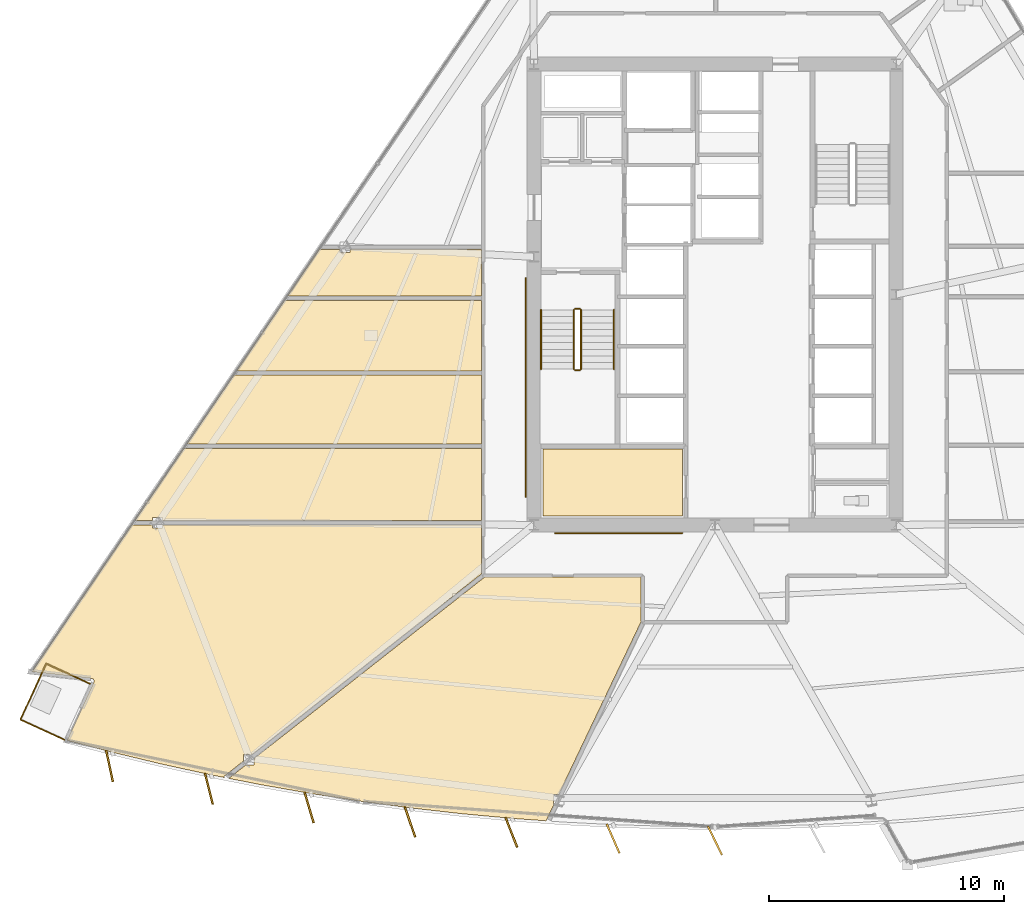
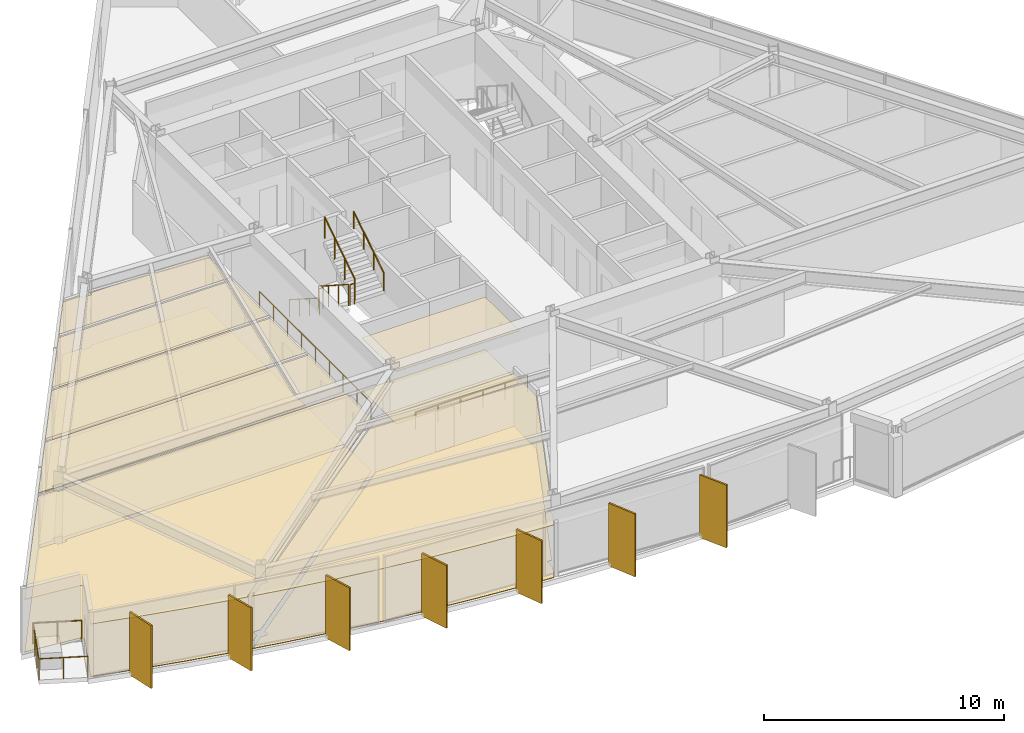
# One storey, part 12 of 16: 14 coverings, 11 railings, 7 shading devices.
"""IFC4 building model written with IfcOpenShell, lengths in metres."""

from ifc_helpers import new_model, si_unit, direction, frame, origin, origin_2d, place, context, subcontext, project, spatial, polyline, rectangle, circle, outline, extrude, material, layer, layer_set, type_object, element, save


model = new_model("IFC4")

# Units and contexts
model_context = context("Model", 3, precision=1e-05, world=origin(), true_north=direction((0.0, 1.0)))
body_context = subcontext(model_context, "Body", "Model", "MODEL_VIEW")
ifc_project = project(units=[si_unit("LENGTHUNIT", "METRE"), si_unit("AREAUNIT", "SQUARE_METRE"), si_unit("VOLUMEUNIT", "CUBIC_METRE"), si_unit("PLANEANGLEUNIT", "RADIAN"), si_unit("MASSUNIT", "GRAM", prefix="KILO")], contexts=[model_context])

# Site, building, storey
site_placement = place(None, origin())
site = spatial("IfcSite", under=ifc_project, at=site_placement, CompositionType="ELEMENT")
building_placement = place(site_placement, origin())
building = spatial("IfcBuilding", under=site, at=building_placement, Name="Savorim Split Tower", CompositionType="ELEMENT")
storey_placement = place(building_placement, frame((0.0, 0.0, 51.60009765625)))
storey = spatial("IfcBuildingStorey", under=building, at=storey_placement, Name="L13", CompositionType="ELEMENT", Elevation=51.60009765625)

# Coverings
ifc_material_1 = material(Name="Mineral Fibre Acoustic Ceiling")
ifc_layer_1 = layer(ifc_material_1, 0.02490234375)
ifc_layer_set_1 = layer_set([ifc_layer_1], Name="COV-CEIL-25")
covering_type_1 = type_object("IfcCoveringType", Name="COV-CEIL-25", PredefinedType="CEILING", material=ifc_layer_set_1)
covering_1_placement = place(storey_placement, frame((0.0, 0.0, 2.669921875)))
element("IfcCovering", 1, at=covering_1_placement, inside=storey, type_object=covering_type_1, Name="L13 Housekeeping Store Acoustic Ceiling", PredefinedType="CEILING", context=body_context, shape_type="SweptSolid", body=[
    extrude(outline(polyline([(-7.320068359375, -6.179931640625), (-7.320068359375, -9.02001953125), (-1.3798828125, -9.02001953125), (-1.3798828125, -6.179931640625), (-7.320068359375, -6.179931640625)])), origin(), (0.0, 0.0, 1.0), 0.02490234375),
])
covering_2_placement = place(storey_placement, frame((0.0, 0.0, 2.669921875)))
element("IfcCovering", 2, at=covering_2_placement, inside=storey, type_object=covering_type_1, Name="L13 Shared Kitchen Acoustic Ceiling", PredefinedType="CEILING", context=body_context, shape_type="SweptSolid", body=[
    extrude(outline(polyline([(-18.30078125, 0.15380859375), (-20.339111328125, -2.842529296875), (-9.919921875, -2.842529296875), (-9.919921875, 0.15380859375), (-18.30078125, 0.15380859375)])), origin(), (0.0, 0.0, 1.0), 0.02490234375),
])
covering_3_placement = place(storey_placement, frame((0.0, 0.0, 2.669921875)))
element("IfcCovering", 3, at=covering_3_placement, inside=storey, type_object=covering_type_1, Name="L13 Quiet Study Room Acoustic Ceiling", PredefinedType="CEILING", context=body_context, shape_type="SweptSolid", body=[
    extrude(outline(polyline([(-20.46826171875, -3.032470703125), (-22.45849609375, -5.9580078125), (-9.919921875, -5.9580078125), (-9.919921875, -3.032470703125), (-20.46826171875, -3.032470703125)])), origin(), (0.0, 0.0, 1.0), 0.02490234375),
])
covering_4_placement = place(storey_placement, frame((0.0, 0.0, 2.669921875)))
element("IfcCovering", 4, at=covering_4_placement, inside=storey, type_object=covering_type_1, Name="L13 Quiet Study Room Acoustic Ceiling", PredefinedType="CEILING", context=body_context, shape_type="SweptSolid", body=[
    extrude(outline(polyline([(-23.486328125, -9.08251953125), (-23.486328125, -9.215087890625), (-9.919921875, -9.215087890625), (-9.919921875, -6.14794921875), (-22.587646484375, -6.14794921875), (-24.67431640625, -9.215087890625), (-23.91845703125, -9.215087890625), (-23.91845703125, -9.08251953125), (-23.486328125, -9.08251953125)])), origin(), (0.0, 0.0, 1.0), 0.02490234375),
])
covering_5_placement = place(storey_placement, frame((0.0, 0.0, 2.669921875)))
element("IfcCovering", 5, at=covering_5_placement, inside=storey, type_object=covering_type_1, Name="L13 Co-Working Commons Acoustic Ceiling", PredefinedType="CEILING", context=body_context, shape_type="SweptSolid", body=[
    extrude(outline(polyline([(-26.404052734375, -16.033447265625), (-26.40380859375, -16.04541015625), (-26.40478515625, -16.057373046875), (-26.406982421875, -16.069091796875), (-26.410400390625, -16.08056640625), (-26.414794921875, -16.091552734375), (-27.549560546875, -18.561767578125), (-25.601806640625, -19.071044921875), (-23.50634765625, -19.573486328125), (-21.40087890625, -20.032958984375), (-20.843505859375, -20.142578125), (-20.88134765625, -20.0947265625), (-20.042724609375, -19.43505859375), (-20.042724609375, -19.15869140625), (-19.691162109375, -19.15869140625), (-9.94677734375, -11.493896484375), (-9.919921875, -11.472900390625), (-9.919921875, -9.405029296875), (-23.486328125, -9.405029296875), (-23.486328125, -9.53759765625), (-23.91845703125, -9.53759765625), (-23.91845703125, -9.405029296875), (-24.678466796875, -9.405029296875), (-24.7734375, -9.405029296875), (-24.7734375, -9.36083984375), (-29.04443359375, -15.639404296875), (-26.510498046875, -15.922119140625), (-26.498779296875, -15.92431640625), (-26.4873046875, -15.92724609375), (-26.47607421875, -15.931396484375), (-26.46533203125, -15.936767578125), (-26.455078125, -15.943115234375), (-26.44580078125, -15.9501953125), (-26.43701171875, -15.95849609375), (-26.42919921875, -15.967529296875), (-26.42236328125, -15.977294921875), (-26.41650390625, -15.98779296875), (-26.41162109375, -15.99853515625), (-26.407958984375, -16.010009765625), (-26.405517578125, -16.021484375), (-26.404052734375, -16.033447265625)])), origin(), (0.0, 0.0, 1.0), 0.02490234375),
])
covering_6_placement = place(storey_placement, frame((0.0, 0.0, 2.669921875)))
element("IfcCovering", 6, at=covering_6_placement, inside=storey, type_object=covering_type_1, Name="L13 Co-Working Commons Acoustic Ceiling", PredefinedType="CEILING", context=body_context, shape_type="SweptSolid", body=[
    extrude(outline(polyline([(-15.0341796875, -21.15185546875), (-12.898193359375, -21.4375), (-10.756591796875, -21.6796875), (-8.610595703125, -21.877685546875), (-7.180419921875, -21.98046875), (-6.858642578125, -21.305908203125), (-6.861083984375, -21.305908203125), (-6.861083984375, -20.85107421875), (-6.641845703125, -20.85107421875), (-3.151611328125, -13.5322265625), (-3.133056640625, -13.493408203125), (-3.134033203125, -13.490478515625), (-3.13720703125, -13.477294921875), (-3.139404296875, -13.463623046875), (-3.139892578125, -13.449951171875), (-3.139892578125, -11.6201171875), (-9.780029296875, -11.6201171875), (-9.793701171875, -11.619384765625), (-9.798095703125, -11.61865234375), (-19.61083984375, -19.337158203125), (-19.61083984375, -19.613525390625), (-19.96240234375, -19.613525390625), (-20.6767578125, -20.175537109375), (-19.286376953125, -20.44921875), (-17.163818359375, -20.822265625), (-15.0341796875, -21.15185546875)])), origin(), (0.0, 0.0, 1.0), 0.02490234375),
])
covering_7_placement = place(storey_placement, frame((0.0, 0.0, 2.669921875)))
element("IfcCovering", 7, at=covering_7_placement, inside=storey, type_object=covering_type_1, Name="L13 Co-Living Bedroom Acoustic Ceiling", PredefinedType="CEILING", context=body_context, shape_type="SweptSolid", body=[
    extrude(outline(polyline([(-15.944580078125, 2.31640625), (-16.70458984375, 2.31640625), (-16.799560546875, 2.31640625), (-16.799560546875, 2.360595703125), (-18.17138671875, 0.34375), (-9.919921875, 0.34375), (-9.919921875, 2.31640625), (-15.5126953125, 2.31640625), (-15.5126953125, 2.183837890625), (-15.944580078125, 2.183837890625), (-15.944580078125, 2.31640625)])), origin(), (0.0, 0.0, 1.0), 0.02490234375),
])
ifc_material_2 = material(Name="Porcelain Stoneware Flooring", Category="masonry")
ifc_layer_2 = layer(ifc_material_2, 0.02001953125)
ifc_layer_set_2 = layer_set([ifc_layer_2], Name="COV-FLOR-20")
covering_type_2 = type_object("IfcCoveringType", Name="COV-FLOR-20", PredefinedType="FLOORING", material=ifc_layer_set_2)
covering_8_placement = place(storey_placement, origin())
element("IfcCovering", 8, at=covering_8_placement, inside=storey, type_object=covering_type_2, Name="L13 Housekeeping Store Porcelain Flooring", PredefinedType="FLOORING", context=body_context, shape_type="SweptSolid", body=[
    extrude(outline(polyline([(-7.320068359375, -6.179931640625), (-7.320068359375, -9.02001953125), (-1.3798828125, -9.02001953125), (-1.3798828125, -6.179931640625), (-7.320068359375, -6.179931640625)])), origin(), (0.0, 0.0, 1.0), 0.02001953125),
])
covering_9_placement = place(storey_placement, origin())
element("IfcCovering", 9, at=covering_9_placement, inside=storey, type_object=covering_type_2, Name="L13 Shared Kitchen Porcelain Flooring", PredefinedType="FLOORING", context=body_context, shape_type="SweptSolid", body=[
    extrude(outline(polyline([(-18.30078125, 0.15380859375), (-20.339111328125, -2.842529296875), (-9.919921875, -2.842529296875), (-9.919921875, 0.15380859375), (-18.30078125, 0.15380859375)])), origin(), (0.0, 0.0, 1.0), 0.02001953125),
])
covering_10_placement = place(storey_placement, origin())
element("IfcCovering", 10, at=covering_10_placement, inside=storey, type_object=covering_type_2, Name="L13 Quiet Study Room Porcelain Flooring", PredefinedType="FLOORING", context=body_context, shape_type="SweptSolid", body=[
    extrude(outline(polyline([(-20.46826171875, -3.032470703125), (-22.45849609375, -5.9580078125), (-9.919921875, -5.9580078125), (-9.919921875, -3.032470703125), (-20.46826171875, -3.032470703125)])), origin(), (0.0, 0.0, 1.0), 0.02001953125),
])
covering_11_placement = place(storey_placement, origin())
element("IfcCovering", 11, at=covering_11_placement, inside=storey, type_object=covering_type_2, Name="L13 Quiet Study Room Porcelain Flooring", PredefinedType="FLOORING", context=body_context, shape_type="SweptSolid", body=[
    extrude(outline(polyline([(-23.486328125, -9.08251953125), (-23.486328125, -9.215087890625), (-9.919921875, -9.215087890625), (-9.919921875, -6.14794921875), (-22.587646484375, -6.14794921875), (-24.67431640625, -9.215087890625), (-23.91845703125, -9.215087890625), (-23.91845703125, -9.08251953125), (-23.486328125, -9.08251953125)])), origin(), (0.0, 0.0, 1.0), 0.02001953125),
])
covering_12_placement = place(storey_placement, origin())
element("IfcCovering", 12, at=covering_12_placement, inside=storey, type_object=covering_type_2, Name="L13 Co-Working Commons Porcelain Flooring", PredefinedType="FLOORING", context=body_context, shape_type="SweptSolid", body=[
    extrude(outline(polyline([(-26.404052734375, -16.033447265625), (-26.40380859375, -16.04541015625), (-26.40478515625, -16.057373046875), (-26.406982421875, -16.069091796875), (-26.410400390625, -16.08056640625), (-26.414794921875, -16.091552734375), (-27.549560546875, -18.561767578125), (-25.601806640625, -19.071044921875), (-23.50634765625, -19.573486328125), (-21.40087890625, -20.032958984375), (-20.843505859375, -20.142578125), (-20.88134765625, -20.0947265625), (-20.042724609375, -19.43505859375), (-20.042724609375, -19.15869140625), (-19.691162109375, -19.15869140625), (-9.94677734375, -11.493896484375), (-9.919921875, -11.472900390625), (-9.919921875, -9.405029296875), (-23.486328125, -9.405029296875), (-23.486328125, -9.53759765625), (-23.91845703125, -9.53759765625), (-23.91845703125, -9.405029296875), (-24.678466796875, -9.405029296875), (-24.7734375, -9.405029296875), (-24.7734375, -9.36083984375), (-29.04443359375, -15.639404296875), (-26.510498046875, -15.922119140625), (-26.498779296875, -15.92431640625), (-26.4873046875, -15.92724609375), (-26.47607421875, -15.931396484375), (-26.46533203125, -15.936767578125), (-26.455078125, -15.943115234375), (-26.44580078125, -15.9501953125), (-26.43701171875, -15.95849609375), (-26.42919921875, -15.967529296875), (-26.42236328125, -15.977294921875), (-26.41650390625, -15.98779296875), (-26.41162109375, -15.99853515625), (-26.407958984375, -16.010009765625), (-26.405517578125, -16.021484375), (-26.404052734375, -16.033447265625)])), origin(), (0.0, 0.0, 1.0), 0.02001953125),
])
covering_13_placement = place(storey_placement, origin())
element("IfcCovering", 13, at=covering_13_placement, inside=storey, type_object=covering_type_2, Name="L13 Co-Working Commons Porcelain Flooring", PredefinedType="FLOORING", context=body_context, shape_type="SweptSolid", body=[
    extrude(outline(polyline([(-15.0341796875, -21.15185546875), (-12.898193359375, -21.4375), (-10.756591796875, -21.6796875), (-8.610595703125, -21.877685546875), (-7.180419921875, -21.98046875), (-6.858642578125, -21.305908203125), (-6.861083984375, -21.305908203125), (-6.861083984375, -20.85107421875), (-6.641845703125, -20.85107421875), (-3.151611328125, -13.5322265625), (-3.133056640625, -13.493408203125), (-3.134033203125, -13.490478515625), (-3.13720703125, -13.477294921875), (-3.139404296875, -13.463623046875), (-3.139892578125, -13.449951171875), (-3.139892578125, -11.6201171875), (-9.780029296875, -11.6201171875), (-9.793701171875, -11.619384765625), (-9.798095703125, -11.61865234375), (-19.61083984375, -19.337158203125), (-19.61083984375, -19.613525390625), (-19.96240234375, -19.613525390625), (-20.6767578125, -20.175537109375), (-19.286376953125, -20.44921875), (-17.163818359375, -20.822265625), (-15.0341796875, -21.15185546875)])), origin(), (0.0, 0.0, 1.0), 0.02001953125),
])
covering_14_placement = place(storey_placement, origin())
element("IfcCovering", 14, at=covering_14_placement, inside=storey, type_object=covering_type_2, Name="L13 Co-Living Bedroom Porcelain Flooring", PredefinedType="FLOORING", context=body_context, shape_type="SweptSolid", body=[
    extrude(outline(polyline([(-15.944580078125, 2.31640625), (-16.70458984375, 2.31640625), (-16.799560546875, 2.31640625), (-16.799560546875, 2.360595703125), (-18.17138671875, 0.34375), (-9.919921875, 0.34375), (-9.919921875, 2.31640625), (-15.5126953125, 2.31640625), (-15.5126953125, 2.183837890625), (-15.944580078125, 2.183837890625), (-15.944580078125, 2.31640625)])), origin(), (0.0, 0.0, 1.0), 0.02001953125),
])

# Railings
ifc_material_3 = material(Name="Galvanised Painted Steel Balustrade", Category="steel")
railing_type_1 = type_object("IfcRailingType", Name="RLG-BAL-1100", PredefinedType="BALUSTRADE", material=ifc_material_3)
railing_1_placement = place(storey_placement, frame((-27.668212890625, -18.53271484375, 0.0)))
element("IfcRailing", 15, at=railing_1_placement, inside=storey, type_object=railing_type_1, Name="L13 Tree Balcony Guardrail SW-1", PredefinedType="BALUSTRADE", context=body_context, shape_type="SweptSolid", body=[
    extrude(circle(Radius=0.02392578125, at=origin_2d()), frame((0.0, 0.0, 1.076171875), z_axis=(-0.908662190505, 0.417532062898, 0.0), x_axis=(-0.417532062898, -0.908662190505, 0.0)), (0.0, 0.0, 1.0), 2.050048828125),
    extrude(circle(Radius=0.02099609375, at=origin_2d()), origin(), (0.0, 0.0, 1.0), 1.052001953125),
    extrude(circle(Radius=0.02099609375, at=origin_2d()), frame((-0.931396484375, 0.427978515625, 0.0)), (0.0, 0.0, 1.0), 1.052001953125),
    extrude(circle(Radius=0.02099609375, at=origin_2d()), frame((-1.86279296875, 0.85595703125, 0.0)), (0.0, 0.0, 1.0), 1.052001953125),
])
railing_2_placement = place(storey_placement, frame((-29.531005859375, -17.6767578125, 0.0)))
element("IfcRailing", 16, at=railing_2_placement, inside=storey, type_object=railing_type_1, Name="L13 Tree Balcony Guardrail SW-2", PredefinedType="BALUSTRADE", context=body_context, shape_type="SweptSolid", body=[
    extrude(circle(Radius=0.02392578125, at=origin_2d()), frame((0.0, 0.0, 1.076171875), z_axis=(0.417427426683, 0.908710263754, 0.0), x_axis=(-0.908710263754, 0.417427426683, 0.0)), (0.0, 0.0, 1.0), 2.621337890625),
    extrude(circle(Radius=0.02099609375, at=origin_2d()), origin(), (0.0, 0.0, 1.0), 1.052001953125),
    extrude(circle(Radius=0.02099609375, at=origin_2d()), frame((0.36474609375, 0.7939453125, 0.0)), (0.0, 0.0, 1.0), 1.052001953125),
    extrude(circle(Radius=0.02099609375, at=origin_2d()), frame((0.7294921875, 1.588134765625, 0.0)), (0.0, 0.0, 1.0), 1.052001953125),
    extrude(circle(Radius=0.02099609375, at=origin_2d()), frame((1.09423828125, 2.382080078125, 0.0)), (0.0, 0.0, 1.0), 1.052001953125),
])
railing_3_placement = place(storey_placement, frame((-28.436767578125, -15.294677734375, 0.0)))
element("IfcRailing", 17, at=railing_3_placement, inside=storey, type_object=railing_type_1, Name="L13 Tree Balcony Guardrail SW-3", PredefinedType="BALUSTRADE", context=body_context, shape_type="SweptSolid", body=[
    extrude(circle(Radius=0.02392578125, at=origin_2d()), frame((0.0, 0.0, 1.076171875), z_axis=(0.908707369925, -0.417433726289, 0.0), x_axis=(0.417433726289, 0.908707369925, 0.0)), (0.0, 0.0, 1.0), 2.050048828125),
    extrude(circle(Radius=0.02099609375, at=origin_2d()), origin(), (0.0, 0.0, 1.0), 1.052001953125),
    extrude(circle(Radius=0.02099609375, at=origin_2d()), frame((0.931396484375, -0.427734375, 0.0)), (0.0, 0.0, 1.0), 1.052001953125),
    extrude(circle(Radius=0.02099609375, at=origin_2d()), frame((1.86279296875, -0.855712890625, 0.0)), (0.0, 0.0, 1.0), 1.052001953125),
])
railing_type_2 = type_object("IfcRailingType", Name="RLG-HR-900", PredefinedType="HANDRAIL", material=ifc_material_3)
railing_4_placement = place(storey_placement, frame((-7.39990234375, -0.25, 0.179931640625)))
element("IfcRailing", 18, at=railing_4_placement, inside=storey, type_object=railing_type_2, Name="L13 ST-1 stair handrail 1", PredefinedType="HANDRAIL", context=body_context, shape_type="SweptSolid", body=[
    extrude(circle(Radius=0.02392578125, at=origin_2d()), frame((0.0, 0.0, 0.8759765625), z_axis=(0.0, -0.841199657755, 0.540724639528), x_axis=(1.0, 0.0, 0.0)), (0.0, 0.0, 1.0), 2.995849609375),
    extrude(circle(Radius=0.02099609375, at=origin_2d()), origin(), (0.0, 0.0, 1.0), 0.851806640625),
    extrude(circle(Radius=0.02099609375, at=origin_2d()), frame((0.0, -0.840087890625, 0.5400390625)), (0.0, 0.0, 1.0), 0.851806640625),
    extrude(circle(Radius=0.02099609375, at=origin_2d()), frame((0.0, -1.679931640625, 1.079833984375)), (0.0, 0.0, 1.0), 0.851806640625),
    extrude(circle(Radius=0.02099609375, at=origin_2d()), frame((0.0, -2.52001953125, 1.619873046875)), (0.0, 0.0, 1.0), 0.851806640625),
])
railing_5_placement = place(storey_placement, frame((-4.300048828125, -2.77001953125, 1.97998046875)))
element("IfcRailing", 19, at=railing_5_placement, inside=storey, type_object=railing_type_2, Name="L13 ST-1 stair handrail 2", PredefinedType="HANDRAIL", context=body_context, shape_type="SweptSolid", body=[
    extrude(circle(Radius=0.02392578125, at=origin_2d()), frame((0.0, 0.0, 0.8759765625), z_axis=(0.0, 0.841199657755, 0.540724639528), x_axis=(-1.0, 0.0, 0.0)), (0.0, 0.0, 1.0), 2.995849609375),
    extrude(circle(Radius=0.02099609375, at=origin_2d()), origin(), (0.0, 0.0, 1.0), 0.851806640625),
    extrude(circle(Radius=0.02099609375, at=origin_2d()), frame((0.0, 0.840087890625, 0.5400390625)), (0.0, 0.0, 1.0), 0.851806640625),
    extrude(circle(Radius=0.02099609375, at=origin_2d()), frame((0.0, 1.679931640625, 1.079833984375)), (0.0, 0.0, 1.0), 0.851806640625),
    extrude(circle(Radius=0.02099609375, at=origin_2d()), frame((0.0, 2.52001953125, 1.619873046875)), (0.0, 0.0, 1.0), 0.851806640625),
])
railing_6_placement = place(storey_placement, frame((-6.800048828125, -9.75, 0.0)))
element("IfcRailing", 20, at=railing_6_placement, inside=storey, type_object=railing_type_2, Name="L13 Corridor South Accessible Handrail", PredefinedType="HANDRAIL", context=body_context, shape_type="SweptSolid", body=[
    extrude(circle(Radius=0.02392578125, at=origin_2d()), frame((0.0, 0.0, 0.8759765625), z_axis=(1.0, 0.0, 0.0), x_axis=(0.0, 1.0, 0.0)), (0.0, 0.0, 1.0), 5.400146484375),
    extrude(circle(Radius=0.02099609375, at=origin_2d()), origin(), (0.0, 0.0, 1.0), 0.851806640625),
    extrude(circle(Radius=0.02099609375, at=origin_2d()), frame((1.080078125, 0.0, 0.0)), (0.0, 0.0, 1.0), 0.851806640625),
    extrude(circle(Radius=0.02099609375, at=origin_2d()), frame((2.16015625, 0.0, 0.0)), (0.0, 0.0, 1.0), 0.851806640625),
    extrude(circle(Radius=0.02099609375, at=origin_2d()), frame((3.239990234375, 0.0, 0.0)), (0.0, 0.0, 1.0), 0.851806640625),
    extrude(circle(Radius=0.02099609375, at=origin_2d()), frame((4.320068359375, 0.0, 0.0)), (0.0, 0.0, 1.0), 0.851806640625),
    extrude(circle(Radius=0.02099609375, at=origin_2d()), frame((5.400146484375, 0.0, 0.0)), (0.0, 0.0, 1.0), 0.851806640625),
])
railing_7_placement = place(storey_placement, frame((-8.050048828125, -8.199951171875, 0.0)))
element("IfcRailing", 21, at=railing_7_placement, inside=storey, type_object=railing_type_2, Name="L13 Corridor West Accessible Handrail", PredefinedType="HANDRAIL", context=body_context, shape_type="SweptSolid", body=[
    extrude(circle(Radius=0.02392578125, at=origin_2d()), frame((0.0, 0.0, 0.8759765625), z_axis=(0.0, 1.0, 0.0), x_axis=(-1.0, 0.0, 0.0)), (0.0, 0.0, 1.0), 9.300048828125),
    extrude(circle(Radius=0.02099609375, at=origin_2d()), origin(), (0.0, 0.0, 1.0), 0.851806640625),
    extrude(circle(Radius=0.02099609375, at=origin_2d()), frame((0.0, 1.16259765625, 0.0)), (0.0, 0.0, 1.0), 0.851806640625),
    extrude(circle(Radius=0.02099609375, at=origin_2d()), frame((0.0, 2.324951171875, 0.0)), (0.0, 0.0, 1.0), 0.851806640625),
    extrude(circle(Radius=0.02099609375, at=origin_2d()), frame((0.0, 3.487548828125, 0.0)), (0.0, 0.0, 1.0), 0.851806640625),
    extrude(circle(Radius=0.02099609375, at=origin_2d()), frame((0.0, 4.64990234375, 0.0)), (0.0, 0.0, 1.0), 0.851806640625),
    extrude(circle(Radius=0.02099609375, at=origin_2d()), frame((0.0, 5.8125, 0.0)), (0.0, 0.0, 1.0), 0.851806640625),
    extrude(circle(Radius=0.02099609375, at=origin_2d()), frame((0.0, 6.97509765625, 0.0)), (0.0, 0.0, 1.0), 0.851806640625),
    extrude(circle(Radius=0.02099609375, at=origin_2d()), frame((0.0, 8.137451171875, 0.0)), (0.0, 0.0, 1.0), 0.851806640625),
    extrude(circle(Radius=0.02099609375, at=origin_2d()), frame((0.0, 9.300048828125, 0.0)), (0.0, 0.0, 1.0), 0.851806640625),
])
railing_type_3 = type_object("IfcRailingType", Name="RLG-STG-1100", PredefinedType="BALUSTRADE", material=ifc_material_3)
railing_8_placement = place(storey_placement, frame((-6.0, -0.25, 0.179931640625)))
element("IfcRailing", 22, at=railing_8_placement, inside=storey, type_object=railing_type_3, Name="L13 ST-1 stair guard 1", PredefinedType="BALUSTRADE", context=body_context, shape_type="SweptSolid", body=[
    extrude(circle(Radius=0.02392578125, at=origin_2d()), frame((0.0, 0.0, 1.076171875), z_axis=(0.0, -0.841199657755, 0.540724639528), x_axis=(1.0, 0.0, 0.0)), (0.0, 0.0, 1.0), 2.995849609375),
    extrude(circle(Radius=0.02099609375, at=origin_2d()), origin(), (0.0, 0.0, 1.0), 1.052001953125),
    extrude(circle(Radius=0.02099609375, at=origin_2d()), frame((0.0, -0.840087890625, 0.5400390625)), (0.0, 0.0, 1.0), 1.052001953125),
    extrude(circle(Radius=0.02099609375, at=origin_2d()), frame((0.0, -1.679931640625, 1.079833984375)), (0.0, 0.0, 1.0), 1.052001953125),
    extrude(circle(Radius=0.02099609375, at=origin_2d()), frame((0.0, -2.52001953125, 1.619873046875)), (0.0, 0.0, 1.0), 1.052001953125),
])
railing_9_placement = place(storey_placement, frame((-5.949951171875, -2.820068359375, 1.7998046875)))
element("IfcRailing", 23, at=railing_9_placement, inside=storey, type_object=railing_type_3, Name="L13 ST-1 stair guard 2", PredefinedType="BALUSTRADE", context=body_context, shape_type="SweptSolid", body=[
    extrude(circle(Radius=0.02392578125, at=origin_2d()), frame((0.0, 0.0, 1.076171875), z_axis=(1.0, 0.0, 0.0), x_axis=(0.0, 1.0, 0.0)), (0.0, 0.0, 1.0), 0.199951171875),
    extrude(circle(Radius=0.02099609375, at=origin_2d()), origin(), (0.0, 0.0, 1.0), 1.052001953125),
    extrude(circle(Radius=0.02099609375, at=origin_2d()), frame((0.199951171875, 0.0, 0.0)), (0.0, 0.0, 1.0), 1.052001953125),
])
railing_10_placement = place(storey_placement, frame((-5.699951171875, -2.77001953125, 1.97998046875)))
element("IfcRailing", 24, at=railing_10_placement, inside=storey, type_object=railing_type_3, Name="L13 ST-1 stair guard 3", PredefinedType="BALUSTRADE", context=body_context, shape_type="SweptSolid", body=[
    extrude(circle(Radius=0.02392578125, at=origin_2d()), frame((0.0, 0.0, 1.076171875), z_axis=(0.0, 0.841199657755, 0.540724639528), x_axis=(-1.0, 0.0, 0.0)), (0.0, 0.0, 1.0), 2.995849609375),
    extrude(circle(Radius=0.02099609375, at=origin_2d()), origin(), (0.0, 0.0, 1.0), 1.052001953125),
    extrude(circle(Radius=0.02099609375, at=origin_2d()), frame((0.0, 0.840087890625, 0.5400390625)), (0.0, 0.0, 1.0), 1.052001953125),
    extrude(circle(Radius=0.02099609375, at=origin_2d()), frame((0.0, 1.679931640625, 1.079833984375)), (0.0, 0.0, 1.0), 1.052001953125),
    extrude(circle(Radius=0.02099609375, at=origin_2d()), frame((0.0, 2.52001953125, 1.619873046875)), (0.0, 0.0, 1.0), 1.052001953125),
])
railing_11_placement = place(storey_placement, frame((-5.949951171875, -0.199951171875, 0.0)))
element("IfcRailing", 25, at=railing_11_placement, inside=storey, type_object=railing_type_3, Name="L13 ST-1 stair guard 4", PredefinedType="BALUSTRADE", context=body_context, shape_type="SweptSolid", body=[
    extrude(circle(Radius=0.02392578125, at=origin_2d()), frame((0.0, 0.0, 1.076171875), z_axis=(1.0, 0.0, 0.0), x_axis=(0.0, 1.0, 0.0)), (0.0, 0.0, 1.0), 0.199951171875),
    extrude(circle(Radius=0.02099609375, at=origin_2d()), origin(), (0.0, 0.0, 1.0), 1.052001953125),
    extrude(circle(Radius=0.02099609375, at=origin_2d()), frame((0.199951171875, 0.0, 0.0)), (0.0, 0.0, 1.0), 1.052001953125),
])

# Shading devices
ifc_material_4 = material(Name="Terracotta Ceramic-Coated Aluminium Fin", Category="masonry")
shading_device_type = type_object("IfcShadingDeviceType", Name="SHD-FIN-1360", PredefinedType="USERDEFINED", material=ifc_material_4)
for number, where, z_axis, x_axis, name in (
    (26, (-25.746826171875, -19.649169921875, -0.2001953125), (0.0, 0.0, 1.0), (0.206721626106, -0.978399800337, 0.0), "L13 Sawtooth Shading Fin 01"),
    (27, (-21.52197265625, -20.61669921875, -0.2001953125), (0.0, 0.0, 1.0), (0.246581250663, -0.969122121727, 0.0), "L13 Sawtooth Shading Fin 02"),
    (28, (-17.260986328125, -21.410400390625, -0.2001953125), (0.0, 0.0, 1.0), (0.286026212504, -0.958221793616, 0.0), "L13 Sawtooth Shading Fin 03"),
    (29, (-12.97119140625, -22.029052734375, -0.2001953125), (0.0, 0.0, 1.0), (0.324993810493, -0.945716143005, 0.0), "L13 Sawtooth Shading Fin 04"),
    (30, (-8.659423828125, -22.4716796875, -0.2001953125), (0.0, 0.0, 1.0), (0.363415461732, -0.931627179817, 0.0), "L13 Sawtooth Shading Fin 05"),
    (31, (-4.33349609375, -22.73779296875, -0.2001953125), (0.0, 0.0, 1.0), (0.401230091723, -0.915977299662, 0.0), "L13 Sawtooth Shading Fin 06"),
    (32, (0.0, -22.826416015625, -0.2001953125), (0.0, 0.0, 1.0), (0.438371146789, -0.898794046299, 0.0), "L13 Sawtooth Shading Fin 07"),
):
    element("IfcShadingDevice", number, at=place(storey_placement, frame(where, z_axis=z_axis, x_axis=x_axis)), inside=storey, type_object=shading_device_type, Name=name, ObjectType="FIN", PredefinedType="USERDEFINED", context=body_context, shape_type="SweptSolid", body=[
        extrude(rectangle(XDim=1.360107421875, YDim=0.080078125, at=origin_2d()), origin(), (0.0, 0.0, 1.0), 3.199951171875),
    ])

save(model, "model.ifc")
